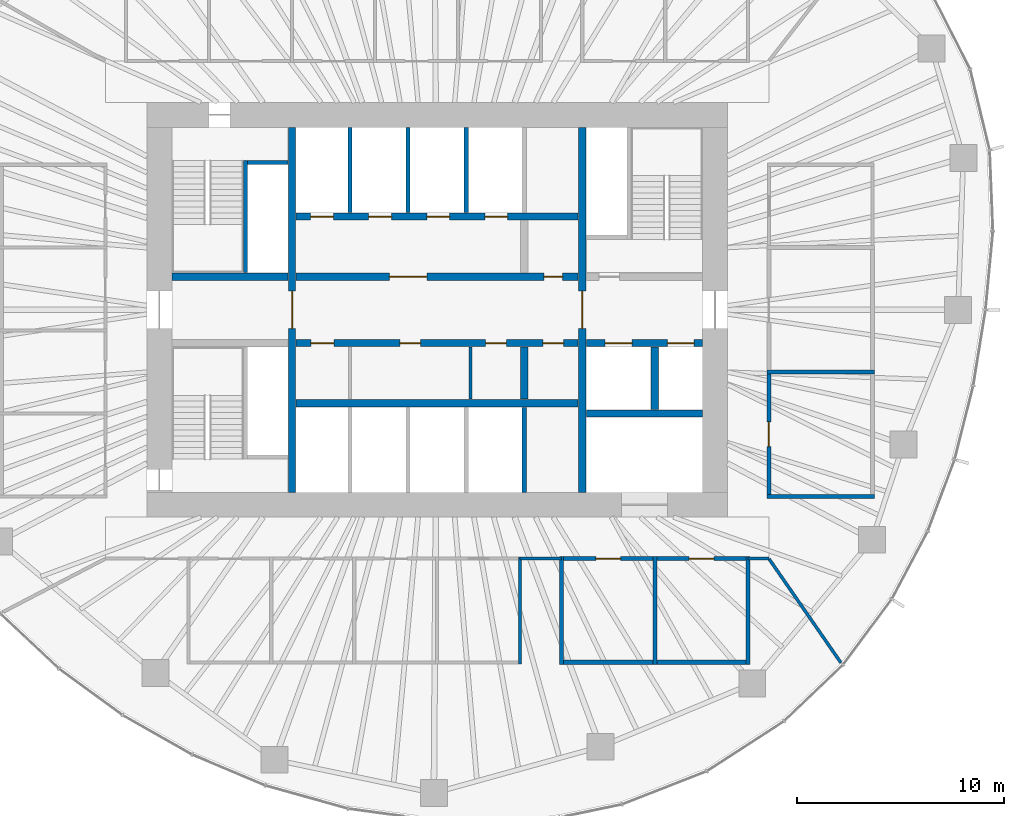
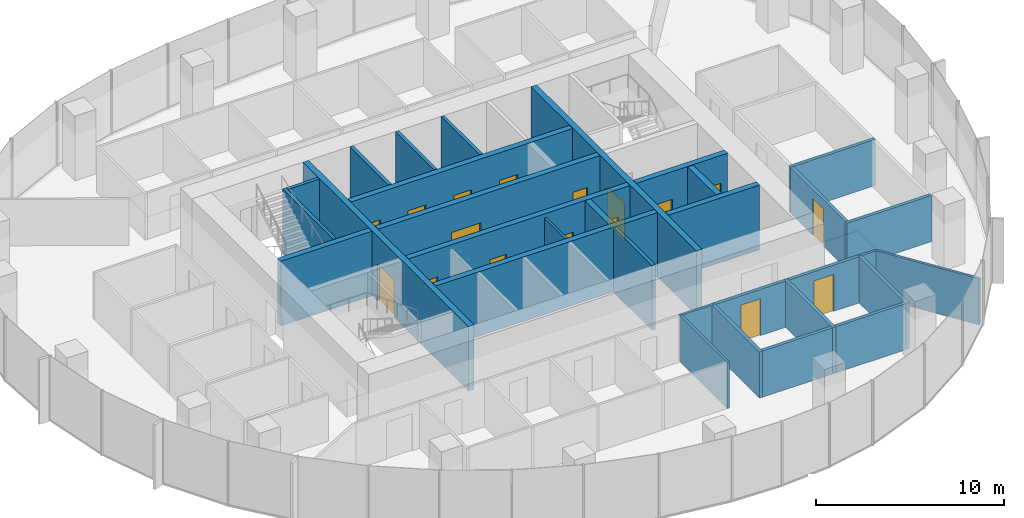
# One storey, part 9 of 12: 32 walls, 17 doors, 17 openings.
"""IFC4 building model written with IfcOpenShell, lengths in metres."""

from ifc_helpers import new_model, si_unit, direction, frame, frame_2d, origin, place, context, subcontext, project, spatial, rectangle, extrude, material, layer, layer_set, type_object, element, fill, save


model = new_model("IFC4")

# Units and contexts
model_context = context("Model", 3, precision=1e-05, world=origin(), true_north=direction((0.0, 1.0)))
body_context = subcontext(model_context, "Body", "Model", "MODEL_VIEW")
ifc_project = project(units=[si_unit("LENGTHUNIT", "METRE"), si_unit("AREAUNIT", "SQUARE_METRE"), si_unit("VOLUMEUNIT", "CUBIC_METRE"), si_unit("PLANEANGLEUNIT", "RADIAN"), si_unit("MASSUNIT", "GRAM", prefix="KILO")], contexts=[model_context])

# Site, building, storey
site_placement = place(None, origin())
site = spatial("IfcSite", under=ifc_project, at=site_placement, CompositionType="ELEMENT")
building_placement = place(site_placement, origin())
building = spatial("IfcBuilding", under=site, at=building_placement, Name="Ghaith Harvest Tower", CompositionType="ELEMENT")
storey_placement = place(building_placement, frame((0.0, 0.0, 203.199951171875)))
storey = spatial("IfcBuildingStorey", under=building, at=storey_placement, Name="L44", CompositionType="ELEMENT", Elevation=203.199951171875)

# Walls
ifc_material_1 = material(Name="Twin-stud gypsum board, acoustic", Category="gypsum")
ifc_layer_1 = layer(ifc_material_1, 0.199951171875)
ifc_layer_set_1 = layer_set([ifc_layer_1], Name="ACOUSTIC PARTITION 200")
wall_type_1 = type_object("IfcWallType", Name="ACOUSTIC PARTITION 200", PredefinedType="PARTITIONING", material=ifc_layer_set_1)
for number, where, z_axis, x_axis, name in (
    (1, (15.89990234375, -9.0, 0.0), (0.0, 0.0, 1.0), (1.0, 0.0, 0.0), "Partition L44 row E3 cross wall 1"),
    (2, (15.89990234375, -3.0, 0.0), (0.0, 0.0, 1.0), (1.0, 0.0, 0.0), "Partition L44 row E3 cross wall 2"),
):
    element("IfcWall", number, at=place(storey_placement, frame(where, z_axis=z_axis, x_axis=x_axis)), inside=storey, type_object=wall_type_1, Name=name, PredefinedType="PARTITIONING", context=body_context, shape_type="SweptSolid", body=[
        extrude(rectangle(XDim=5.2001953125, YDim=0.199951171875, at=frame_2d((2.60009765625, 0.0))), origin(), (0.0, 0.0, 1.0), 3.0),
    ])

# Wall, opening, door
wall_1_placement = place(storey_placement, frame((16.0, -8.89990234375, 0.0), z_axis=(0.0, 0.0, 1.0), x_axis=(0.0, 1.0, 0.0)))
wall_1 = element("IfcWall", 3, at=wall_1_placement, inside=storey, type_object=wall_type_1, Name="Partition L44-08", PredefinedType="PARTITIONING", context=body_context, shape_type="SweptSolid", body=[
    extrude(rectangle(XDim=5.7998046875, YDim=0.199951171875, at=frame_2d((2.89990234375, 0.0))), origin(), (0.0, 0.0, 1.0), 3.0),
])
opening_1_placement = place(wall_1_placement, frame((2.300048828125, 0.0, 0.0)))
opening_1 = element("IfcOpeningElement", 4, at=opening_1_placement, cuts=wall_1, Name="Opening 44-028", PredefinedType="OPENING", context=body_context, shape_type="SweptSolid", body=[
    extrude(rectangle(XDim=1.199951171875, YDim=2.39990234375, at=frame_2d((0.60009765625, 1.199951171875))), frame((0.0, 0.10986328125, 0.0), z_axis=(0.0, -1.0, 0.0), x_axis=(1.0, 0.0, 0.0)), (0.0, 0.0, 1.0), 0.219970703125),
])
ifc_material_2 = material(Name="Timber door", Category="wood")
door_type_1 = type_object("IfcDoorType", Name="D11 GLAZED 1200x2400", OperationType="SINGLE_SWING_LEFT", PredefinedType="DOOR", material=ifc_material_2)
door_1_placement = place(opening_1_placement, origin())
door_1 = element("IfcDoor", 5, at=door_1_placement, inside=storey, type_object=door_type_1, Name="Meeting room door", OperationType="SINGLE_SWING_LEFT", OverallHeight=2.39990234375, OverallWidth=1.199951171875, PredefinedType="DOOR", context=body_context, shape_type="SweptSolid", body=[
    extrude(rectangle(XDim=1.199951171875, YDim=2.39990234375, at=frame_2d((0.60009765625, 1.199951171875))), frame((0.0, 0.02490234375, 0.0), z_axis=(0.0, -1.0, 0.0), x_axis=(1.0, 0.0, 0.0)), (0.0, 0.0, 1.0), 0.050048828125),
])
fill(opening_1, door_1)

# Walls
for number, where, z_axis, x_axis, name in (
    (6, (6.0, -11.89990234375, 0.0), (0.0, 0.0, 1.0), (0.0, -1.0, 0.0), "Partition L44 row S5 cross wall 1"),
    (7, (10.5, -11.89990234375, 0.0), (0.0, 0.0, 1.0), (0.0, -1.0, 0.0), "Partition L44 row S5 cross wall 2"),
    (8, (15.0, -11.89990234375, 0.0), (0.0, 0.0, 1.0), (0.0, -1.0, 0.0), "Partition L44 row S5 cross wall 3"),
):
    element("IfcWall", number, at=place(storey_placement, frame(where, z_axis=z_axis, x_axis=x_axis)), inside=storey, type_object=wall_type_1, Name=name, PredefinedType="PARTITIONING", context=body_context, shape_type="SweptSolid", body=[
        extrude(rectangle(XDim=5.2001953125, YDim=0.199951171875, at=frame_2d((2.60009765625, 0.0))), origin(), (0.0, 0.0, 1.0), 3.0),
    ])

# Wall, opening, door
wall_2_placement = place(storey_placement, frame((6.10009765625, -12.0, 0.0), z_axis=(0.0, 0.0, 1.0), x_axis=(1.0, 0.0, 0.0)))
wall_2 = element("IfcWall", 9, at=wall_2_placement, inside=storey, type_object=wall_type_1, Name="Partition L44-15", PredefinedType="PARTITIONING", context=body_context, shape_type="SweptSolid", body=[
    extrude(rectangle(XDim=4.2998046875, YDim=0.199951171875, at=frame_2d((2.14990234375, 0.0))), origin(), (0.0, 0.0, 1.0), 3.0),
])
opening_2_placement = place(wall_2_placement, frame((1.550048828125, 0.0, 0.0)))
opening_2 = element("IfcOpeningElement", 10, at=opening_2_placement, cuts=wall_2, Name="Opening 44-035", PredefinedType="OPENING", context=body_context, shape_type="SweptSolid", body=[
    extrude(rectangle(XDim=1.199951171875, YDim=2.39990234375, at=frame_2d((0.60009765625, 1.199951171875))), frame((0.0, 0.10986328125, 0.0), z_axis=(0.0, -1.0, 0.0), x_axis=(1.0, 0.0, 0.0)), (0.0, 0.0, 1.0), 0.219970703125),
])
door_2_placement = place(opening_2_placement, origin())
door_2 = element("IfcDoor", 11, at=door_2_placement, inside=storey, type_object=door_type_1, Name="Meeting room door", OperationType="SINGLE_SWING_LEFT", OverallHeight=2.39990234375, OverallWidth=1.199951171875, PredefinedType="DOOR", context=body_context, shape_type="SweptSolid", body=[
    extrude(rectangle(XDim=1.199951171875, YDim=2.39990234375, at=frame_2d((0.60009765625, 1.199951171875))), frame((0.0, 0.02490234375, 0.0), z_axis=(0.0, -1.0, 0.0), x_axis=(1.0, 0.0, 0.0)), (0.0, 0.0, 1.0), 0.050048828125),
])
fill(opening_2, door_2)

# Wall
wall_3_placement = place(storey_placement, frame((6.10009765625, -17.0, 0.0), z_axis=(0.0, 0.0, 1.0), x_axis=(1.0, 0.0, 0.0)))
element("IfcWall", 12, at=wall_3_placement, inside=storey, type_object=wall_type_1, Name="Partition L44-15", PredefinedType="PARTITIONING", context=body_context, shape_type="SweptSolid", body=[
    extrude(rectangle(XDim=4.2998046875, YDim=0.199951171875, at=frame_2d((2.14990234375, 0.0))), origin(), (0.0, 0.0, 1.0), 3.0),
])

# Wall, opening, door
wall_4_placement = place(storey_placement, frame((10.60009765625, -12.0, 0.0), z_axis=(0.0, 0.0, 1.0), x_axis=(1.0, 0.0, 0.0)))
wall_4 = element("IfcWall", 13, at=wall_4_placement, inside=storey, type_object=wall_type_1, Name="Partition L44-16", PredefinedType="PARTITIONING", context=body_context, shape_type="SweptSolid", body=[
    extrude(rectangle(XDim=4.2998046875, YDim=0.199951171875, at=frame_2d((2.14990234375, 0.0))), origin(), (0.0, 0.0, 1.0), 3.0),
])
opening_3_placement = place(wall_4_placement, frame((1.550048828125, 0.0, 0.0)))
opening_3 = element("IfcOpeningElement", 14, at=opening_3_placement, cuts=wall_4, Name="Opening 44-036", PredefinedType="OPENING", context=body_context, shape_type="SweptSolid", body=[
    extrude(rectangle(XDim=1.199951171875, YDim=2.39990234375, at=frame_2d((0.60009765625, 1.199951171875))), frame((0.0, 0.10986328125, 0.0), z_axis=(0.0, -1.0, 0.0), x_axis=(1.0, 0.0, 0.0)), (0.0, 0.0, 1.0), 0.219970703125),
])
door_3_placement = place(opening_3_placement, origin())
door_3 = element("IfcDoor", 15, at=door_3_placement, inside=storey, type_object=door_type_1, Name="Meeting room door", OperationType="SINGLE_SWING_LEFT", OverallHeight=2.39990234375, OverallWidth=1.199951171875, PredefinedType="DOOR", context=body_context, shape_type="SweptSolid", body=[
    extrude(rectangle(XDim=1.199951171875, YDim=2.39990234375, at=frame_2d((0.60009765625, 1.199951171875))), frame((0.0, 0.02490234375, 0.0), z_axis=(0.0, -1.0, 0.0), x_axis=(1.0, 0.0, 0.0)), (0.0, 0.0, 1.0), 0.050048828125),
])
fill(opening_3, door_3)

# Walls
wall_5_placement = place(storey_placement, frame((10.60009765625, -17.0, 0.0), z_axis=(0.0, 0.0, 1.0), x_axis=(1.0, 0.0, 0.0)))
element("IfcWall", 16, at=wall_5_placement, inside=storey, type_object=wall_type_1, Name="Partition L44-16", PredefinedType="PARTITIONING", context=body_context, shape_type="SweptSolid", body=[
    extrude(rectangle(XDim=4.2998046875, YDim=0.199951171875, at=frame_2d((2.14990234375, 0.0))), origin(), (0.0, 0.0, 1.0), 3.0),
])
ifc_material_3 = material(Name="Concrete blockwork, fair-faced", Category="masonry")
ifc_layer_2 = layer(ifc_material_3, 0.139892578125)
ifc_layer_set_2 = layer_set([ifc_layer_2], Name="CORE PARTITION 140")
wall_type_2 = type_object("IfcWallType", Name="CORE PARTITION 140", PredefinedType="PARTITIONING", material=ifc_layer_set_2)
wall_6_placement = place(storey_placement, frame((1.60009765625, -1.800048828125, 0.0), z_axis=(0.0, 0.0, 1.0), x_axis=(0.0, -1.0, 0.0)))
element("IfcWall", 17, at=wall_6_placement, inside=storey, type_object=wall_type_2, Name="Core partition L44", PredefinedType="PARTITIONING", context=body_context, shape_type="SweptSolid", body=[
    extrude(rectangle(XDim=2.5, YDim=0.139892578125, at=frame_2d((1.25, 0.0))), origin(), (0.0, 0.0, 1.0), 3.949951171875),
])
ifc_material_4 = material(Name="Concrete blockwork, 2-hour", Category="masonry")
ifc_layer_3 = layer(ifc_material_4, 0.199951171875)
ifc_layer_set_3 = layer_set([ifc_layer_3], Name="LIFT SHAFT WALL 200")
wall_type_3 = type_object("IfcWallType", Name="LIFT SHAFT WALL 200", PredefinedType="PARTITIONING", material=ifc_layer_set_3)
for number, where, z_axis, x_axis, name in (
    (18, (-4.199951171875, 4.699951171875, 0.0), (0.0, 0.0, 1.0), (0.0, 1.0, 0.0), "Lift shaft wall L44"),
    (19, (-1.39990234375, 4.699951171875, 0.0), (0.0, 0.0, 1.0), (0.0, 1.0, 0.0), "Lift shaft wall L44"),
    (20, (1.39990234375, 4.699951171875, 0.0), (0.0, 0.0, 1.0), (0.0, 1.0, 0.0), "Lift shaft wall L44"),
    (21, (4.199951171875, -4.699951171875, 0.0), (0.0, 0.0, 1.0), (0.0, -1.0, 0.0), "Lift shaft wall L44"),
):
    element("IfcWall", number, at=place(storey_placement, frame(where, z_axis=z_axis, x_axis=x_axis)), inside=storey, type_object=wall_type_3, Name=name, PredefinedType="PARTITIONING", context=body_context, shape_type="SweptSolid", body=[
        extrude(rectangle(XDim=4.10009765625, YDim=0.199951171875, at=frame_2d((2.050048828125, 0.0))), origin(), (0.0, 0.0, 1.0), 4.199951171875),
    ])
ifc_material_5 = material(Name="Gypsum board on steel studs", Category="steel")
ifc_layer_4 = layer(ifc_material_5, 0.14990234375)
ifc_layer_set_4 = layer_set([ifc_layer_4], Name="PARTITION 150")
wall_type_4 = type_object("IfcWallType", Name="PARTITION 150", PredefinedType="PARTITIONING", material=ifc_layer_set_4)
wall_7_placement = place(storey_placement, frame((4.0, -11.925048828125, 0.0), z_axis=(0.0, 0.0, 1.0), x_axis=(0.0, -1.0, 0.0)))
element("IfcWall", 22, at=wall_7_placement, inside=storey, type_object=wall_type_4, Name="Partition L44 row S4 cross wall 5", PredefinedType="PARTITIONING", context=body_context, shape_type="SweptSolid", body=[
    extrude(rectangle(XDim=5.14990234375, YDim=0.14990234375, at=frame_2d((2.574951171875, 0.0))), origin(), (0.0, 0.0, 1.0), 3.0),
])
wall_8_placement = place(storey_placement, frame((16.011474609375, -12.016357421875, 0.0), z_axis=(0.0, 0.0, 1.0), x_axis=(0.568863489071, -0.822431961199, 0.0)))
element("IfcWall", 23, at=wall_8_placement, inside=storey, type_object=wall_type_4, Name="Partition L44 zone division", PredefinedType="PARTITIONING", context=body_context, shape_type="SweptSolid", body=[
    extrude(rectangle(XDim=6.0830078125, YDim=0.14990234375, at=frame_2d((3.04150390625, 0.0))), origin(), (0.0, 0.0, 1.0), 3.0),
])
wall_9_placement = place(storey_placement, frame((4.0, -12.0, 0.0), z_axis=(0.0, 0.0, 1.0), x_axis=(1.0, 0.0, 0.0)))
element("IfcWall", 24, at=wall_9_placement, inside=storey, type_object=wall_type_4, Name="Partition L44 zone enclosure", PredefinedType="PARTITIONING", context=body_context, shape_type="SweptSolid", body=[
    extrude(rectangle(XDim=2.0, YDim=0.14990234375, at=frame_2d((1.0, 0.0))), origin(), (0.0, 0.0, 1.0), 3.0),
])
wall_10_placement = place(storey_placement, frame((15.0, -12.0, 0.0), z_axis=(0.0, 0.0, 1.0), x_axis=(1.0, 0.0, 0.0)))
element("IfcWall", 25, at=wall_10_placement, inside=storey, type_object=wall_type_4, Name="Partition L44 zone enclosure", PredefinedType="PARTITIONING", context=body_context, shape_type="SweptSolid", body=[
    extrude(rectangle(XDim=1.0, YDim=0.14990234375, at=frame_2d((0.5, 0.0))), origin(), (0.0, 0.0, 1.0), 3.0),
])

# Wall, opening, door
ifc_material_6 = material(Name="Concrete C60/75", Category="concrete")
ifc_layer_5 = layer(ifc_material_6, 0.35009765625)
ifc_layer_set_5 = layer_set([ifc_layer_5], Name="SHAFT WALL 350")
wall_type_5 = type_object("IfcWallType", Name="SHAFT WALL 350", PredefinedType="SHEAR", material=ifc_layer_set_5)
wall_11_placement = place(storey_placement, frame((-7.0, -8.800048828125, 0.0), z_axis=(0.0, 0.0, 1.0), x_axis=(0.0, 1.0, 0.0)))
wall_11 = element("IfcWall", 26, at=wall_11_placement, inside=storey, type_object=wall_type_5, Name="Shaft wall W7W L44", PredefinedType="SHEAR", context=body_context, shape_type="SweptSolid", body=[
    extrude(rectangle(XDim=17.60009765625, YDim=0.35009765625, at=frame_2d((8.800048828125, 0.0))), origin(), (0.0, 0.0, 1.0), 4.199951171875),
])
opening_4_placement = place(wall_11_placement, frame((7.89990234375, 0.0, 0.0)))
opening_4 = element("IfcOpeningElement", 27, at=opening_4_placement, cuts=wall_11, Name="Opening 44-003", PredefinedType="OPENING", context=body_context, shape_type="SweptSolid", body=[
    extrude(rectangle(XDim=1.800048828125, YDim=2.39990234375, at=frame_2d((0.89990234375, 1.199951171875))), frame((0.0, 0.18505859375, 0.0), z_axis=(0.0, -1.0, 0.0), x_axis=(1.0, 0.0, 0.0)), (0.0, 0.0, 1.0), 0.3701171875),
])
ifc_material_7 = material(Name="Steel fire door", Category="steel")
door_type_2 = type_object("IfcDoorType", Name="D4 FD90 PAIR 1800x2400", OperationType="DOUBLE_DOOR_SINGLE_SWING", PredefinedType="DOOR", material=ifc_material_7)
door_4_placement = place(opening_4_placement, origin())
door_4 = element("IfcDoor", 28, at=door_4_placement, inside=storey, type_object=door_type_2, Name="Lift lobby doors, west", OperationType="DOUBLE_DOOR_SINGLE_SWING", OverallHeight=2.39990234375, OverallWidth=1.800048828125, PredefinedType="DOOR", context=body_context, shape_type="SweptSolid", body=[
    extrude(rectangle(XDim=1.800048828125, YDim=2.39990234375, at=frame_2d((0.89990234375, 1.199951171875))), frame((0.0, 0.02490234375, 0.0), z_axis=(0.0, -1.0, 0.0), x_axis=(1.0, 0.0, 0.0)), (0.0, 0.0, 1.0), 0.050048828125),
])
fill(opening_4, door_4)

wall_12_placement = place(storey_placement, frame((7.0, -8.800048828125, 0.0), z_axis=(0.0, 0.0, 1.0), x_axis=(0.0, 1.0, 0.0)))
wall_12 = element("IfcWall", 29, at=wall_12_placement, inside=storey, type_object=wall_type_5, Name="Shaft wall W7E L44", PredefinedType="SHEAR", context=body_context, shape_type="SweptSolid", body=[
    extrude(rectangle(XDim=17.60009765625, YDim=0.35009765625, at=frame_2d((8.800048828125, 0.0))), origin(), (0.0, 0.0, 1.0), 4.199951171875),
])
opening_5_placement = place(wall_12_placement, frame((7.89990234375, 0.0, 0.0)))
opening_5 = element("IfcOpeningElement", 30, at=opening_5_placement, cuts=wall_12, Name="Opening 44-004", PredefinedType="OPENING", context=body_context, shape_type="SweptSolid", body=[
    extrude(rectangle(XDim=1.800048828125, YDim=2.39990234375, at=frame_2d((0.89990234375, 1.199951171875))), frame((0.0, 0.18505859375, 0.0), z_axis=(0.0, -1.0, 0.0), x_axis=(1.0, 0.0, 0.0)), (0.0, 0.0, 1.0), 0.3701171875),
])
door_5_placement = place(opening_5_placement, origin())
door_5 = element("IfcDoor", 31, at=door_5_placement, inside=storey, type_object=door_type_2, Name="Lift lobby doors, east", OperationType="DOUBLE_DOOR_SINGLE_SWING", OverallHeight=2.39990234375, OverallWidth=1.800048828125, PredefinedType="DOOR", context=body_context, shape_type="SweptSolid", body=[
    extrude(rectangle(XDim=1.800048828125, YDim=2.39990234375, at=frame_2d((0.89990234375, 1.199951171875))), frame((0.0, 0.02490234375, 0.0), z_axis=(0.0, -1.0, 0.0), x_axis=(1.0, 0.0, 0.0)), (0.0, 0.0, 1.0), 0.050048828125),
])
fill(opening_5, door_5)

# Wall, openings, doors
wall_13_placement = place(storey_placement, frame((-6.800048828125, 1.60009765625, 0.0), z_axis=(0.0, 0.0, 1.0), x_axis=(1.0, 0.0, 0.0)))
wall_13 = element("IfcWall", 32, at=wall_13_placement, inside=storey, type_object=wall_type_5, Name="Shaft wall LN L44", PredefinedType="SHEAR", context=body_context, shape_type="SweptSolid", body=[
    extrude(rectangle(XDim=13.60009765625, YDim=0.35009765625, at=frame_2d((6.800048828125, 0.0))), origin(), (0.0, 0.0, 1.0), 4.199951171875),
])
opening_6_placement = place(wall_13_placement, frame((11.949951171875, 0.0, 0.0)))
opening_6 = element("IfcOpeningElement", 33, at=opening_6_placement, cuts=wall_13, Name="Opening 44-011", PredefinedType="OPENING", context=body_context, shape_type="SweptSolid", body=[
    extrude(rectangle(XDim=0.89990234375, YDim=2.39990234375, at=frame_2d((0.449951171875, 1.199951171875))), frame((0.0, 0.18505859375, 0.0), z_axis=(0.0, -1.0, 0.0), x_axis=(1.0, 0.0, 0.0)), (0.0, 0.0, 1.0), 0.3701171875),
])
opening_7_placement = place(wall_13_placement, frame((4.5, 0.0, 0.0)))
opening_7 = element("IfcOpeningElement", 34, at=opening_7_placement, cuts=wall_13, Name="Opening 44-013", PredefinedType="OPENING", context=body_context, shape_type="SweptSolid", body=[
    extrude(rectangle(XDim=1.800048828125, YDim=2.39990234375, at=frame_2d((0.89990234375, 1.199951171875))), frame((0.0, 0.18505859375, 0.0), z_axis=(0.0, -1.0, 0.0), x_axis=(1.0, 0.0, 0.0)), (0.0, 0.0, 1.0), 0.3701171875),
])
door_6_placement = place(opening_7_placement, origin())
door_6 = element("IfcDoor", 35, at=door_6_placement, inside=storey, type_object=door_type_2, Name="Lift lobby doors, high-rise bank", OperationType="DOUBLE_DOOR_SINGLE_SWING", OverallHeight=2.39990234375, OverallWidth=1.800048828125, PredefinedType="DOOR", context=body_context, shape_type="SweptSolid", body=[
    extrude(rectangle(XDim=1.800048828125, YDim=2.39990234375, at=frame_2d((0.89990234375, 1.199951171875))), frame((0.0, 0.02490234375, 0.0), z_axis=(0.0, -1.0, 0.0), x_axis=(1.0, 0.0, 0.0)), (0.0, 0.0, 1.0), 0.050048828125),
])
fill(opening_7, door_6)
ifc_material_8 = material(Name="Steel fire door", Category="steel")
door_type_3 = type_object("IfcDoorType", Name="D5 FD90 900x2400", OperationType="SINGLE_SWING_LEFT", PredefinedType="DOOR", material=ifc_material_8)
door_7_placement = place(opening_6_placement, origin())
door_7 = element("IfcDoor", 36, at=door_7_placement, inside=storey, type_object=door_type_3, Name="Cleaner's store door", OperationType="SINGLE_SWING_RIGHT", OverallHeight=2.39990234375, OverallWidth=0.89990234375, PredefinedType="DOOR", context=body_context, shape_type="SweptSolid", body=[
    extrude(rectangle(XDim=0.89990234375, YDim=2.39990234375, at=frame_2d((0.449951171875, 1.199951171875))), frame((0.0, 0.02490234375, 0.0), z_axis=(0.0, -1.0, 0.0), x_axis=(1.0, 0.0, 0.0)), (0.0, 0.0, 1.0), 0.050048828125),
])
fill(opening_6, door_7)

wall_14_placement = place(storey_placement, frame((-6.800048828125, -1.60009765625, 0.0), z_axis=(0.0, 0.0, 1.0), x_axis=(1.0, 0.0, 0.0)))
wall_14 = element("IfcWall", 37, at=wall_14_placement, inside=storey, type_object=wall_type_5, Name="Shaft wall LS L44", PredefinedType="SHEAR", context=body_context, shape_type="SweptSolid", body=[
    extrude(rectangle(XDim=13.60009765625, YDim=0.35009765625, at=frame_2d((6.800048828125, 0.0))), origin(), (0.0, 0.0, 1.0), 4.199951171875),
])
opening_8_placement = place(wall_14_placement, frame((0.715087890625, 0.0, 0.0)))
opening_8 = element("IfcOpeningElement", 38, at=opening_8_placement, cuts=wall_14, Name="Opening 44-008", PredefinedType="OPENING", context=body_context, shape_type="SweptSolid", body=[
    extrude(rectangle(XDim=1.10009765625, YDim=2.39990234375, at=frame_2d((0.550048828125, 1.199951171875))), frame((0.0, 0.18505859375, 0.0), z_axis=(0.0, -1.0, 0.0), x_axis=(1.0, 0.0, 0.0)), (0.0, 0.0, 1.0), 0.3701171875),
])
opening_9_placement = place(wall_14_placement, frame((5.0, 0.0, 0.0)))
opening_9 = element("IfcOpeningElement", 39, at=opening_9_placement, cuts=wall_14, Name="Opening 44-009", PredefinedType="OPENING", context=body_context, shape_type="SweptSolid", body=[
    extrude(rectangle(XDim=1.0, YDim=2.39990234375, at=frame_2d((0.5, 1.199951171875))), frame((0.0, 0.18505859375, 0.0), z_axis=(0.0, -1.0, 0.0), x_axis=(1.0, 0.0, 0.0)), (0.0, 0.0, 1.0), 0.3701171875),
])
opening_10_placement = place(wall_14_placement, frame((9.135009765625, 0.0, 0.0)))
opening_10 = element("IfcOpeningElement", 40, at=opening_10_placement, cuts=wall_14, Name="Opening 44-010", PredefinedType="OPENING", context=body_context, shape_type="SweptSolid", body=[
    extrude(rectangle(XDim=1.0, YDim=2.39990234375, at=frame_2d((0.5, 1.199951171875))), frame((0.0, 0.18505859375, 0.0), z_axis=(0.0, -1.0, 0.0), x_axis=(1.0, 0.0, 0.0)), (0.0, 0.0, 1.0), 0.3701171875),
])
opening_11_placement = place(wall_14_placement, frame((11.89990234375, 0.0, 0.0)))
opening_11 = element("IfcOpeningElement", 41, at=opening_11_placement, cuts=wall_14, Name="Opening 44-012", PredefinedType="OPENING", context=body_context, shape_type="SweptSolid", body=[
    extrude(rectangle(XDim=1.0, YDim=2.39990234375, at=frame_2d((0.5, 1.199951171875))), frame((0.0, 0.18505859375, 0.0), z_axis=(0.0, -1.0, 0.0), x_axis=(1.0, 0.0, 0.0)), (0.0, 0.0, 1.0), 0.3701171875),
])
ifc_material_9 = material(Name="Steel fire door", Category="steel")
door_type_4 = type_object("IfcDoorType", Name="D3 FD90 1000x2400", OperationType="SINGLE_SWING_LEFT", PredefinedType="DOOR", material=ifc_material_9)
door_8_placement = place(opening_9_placement, origin())
door_8 = element("IfcDoor", 42, at=door_8_placement, inside=storey, type_object=door_type_4, Name="Male WC door", OperationType="SINGLE_SWING_LEFT", OverallHeight=2.39990234375, OverallWidth=1.0, PredefinedType="DOOR", context=body_context, shape_type="SweptSolid", body=[
    extrude(rectangle(XDim=1.0, YDim=2.39990234375, at=frame_2d((0.5, 1.199951171875))), frame((0.0, 0.02490234375, 0.0), z_axis=(0.0, -1.0, 0.0), x_axis=(1.0, 0.0, 0.0)), (0.0, 0.0, 1.0), 0.050048828125),
])
fill(opening_9, door_8)
door_9_placement = place(opening_10_placement, origin())
door_9 = element("IfcDoor", 43, at=door_9_placement, inside=storey, type_object=door_type_4, Name="Female WC door", OperationType="SINGLE_SWING_RIGHT", OverallHeight=2.39990234375, OverallWidth=1.0, PredefinedType="DOOR", context=body_context, shape_type="SweptSolid", body=[
    extrude(rectangle(XDim=1.0, YDim=2.39990234375, at=frame_2d((0.5, 1.199951171875))), frame((0.0, 0.02490234375, 0.0), z_axis=(0.0, -1.0, 0.0), x_axis=(1.0, 0.0, 0.0)), (0.0, 0.0, 1.0), 0.050048828125),
])
fill(opening_10, door_9)
door_10_placement = place(opening_11_placement, origin())
door_10 = element("IfcDoor", 44, at=door_10_placement, inside=storey, type_object=door_type_4, Name="Electrical room door", OperationType="SINGLE_SWING_RIGHT", OverallHeight=2.39990234375, OverallWidth=1.0, PredefinedType="DOOR", context=body_context, shape_type="SweptSolid", body=[
    extrude(rectangle(XDim=1.0, YDim=2.39990234375, at=frame_2d((0.5, 1.199951171875))), frame((0.0, 0.02490234375, 0.0), z_axis=(0.0, -1.0, 0.0), x_axis=(1.0, 0.0, 0.0)), (0.0, 0.0, 1.0), 0.050048828125),
])
fill(opening_11, door_10)
ifc_material_10 = material(Name="Steel fire door", Category="steel")
door_type_5 = type_object("IfcDoorType", Name="D9 FD90 1100x2400", OperationType="SINGLE_SWING_LEFT", PredefinedType="DOOR", material=ifc_material_10)
door_11_placement = place(opening_8_placement, origin())
door_11 = element("IfcDoor", 45, at=door_11_placement, inside=storey, type_object=door_type_5, Name="Accessible WC door", OperationType="SINGLE_SWING_LEFT", OverallHeight=2.39990234375, OverallWidth=1.10009765625, PredefinedType="DOOR", context=body_context, shape_type="SweptSolid", body=[
    extrude(rectangle(XDim=1.10009765625, YDim=2.39990234375, at=frame_2d((0.550048828125, 1.199951171875))), frame((0.0, 0.02490234375, 0.0), z_axis=(0.0, -1.0, 0.0), x_axis=(1.0, 0.0, 0.0)), (0.0, 0.0, 1.0), 0.050048828125),
])
fill(opening_8, door_11)

wall_15_placement = place(storey_placement, frame((-6.800048828125, 4.5, 0.0), z_axis=(0.0, 0.0, 1.0), x_axis=(1.0, 0.0, 0.0)))
wall_15 = element("IfcWall", 46, at=wall_15_placement, inside=storey, type_object=wall_type_5, Name="Shaft wall BN L44", PredefinedType="SHEAR", context=body_context, shape_type="SweptSolid", body=[
    extrude(rectangle(XDim=13.60009765625, YDim=0.35009765625, at=frame_2d((6.800048828125, 0.0))), origin(), (0.0, 0.0, 1.0), 4.199951171875),
])
opening_12_placement = place(wall_15_placement, frame((0.699951171875, 0.0, 0.0)))
opening_12 = element("IfcOpeningElement", 47, at=opening_12_placement, cuts=wall_15, Name="Opening 44-014", PredefinedType="OPENING", context=body_context, shape_type="SweptSolid", body=[
    extrude(rectangle(XDim=1.10009765625, YDim=2.39990234375, at=frame_2d((0.550048828125, 1.199951171875))), frame((0.0, 0.18505859375, 0.0), z_axis=(0.0, -1.0, 0.0), x_axis=(1.0, 0.0, 0.0)), (0.0, 0.0, 1.0), 0.3701171875),
])
opening_13_placement = place(wall_15_placement, frame((3.5, 0.0, 0.0)))
opening_13 = element("IfcOpeningElement", 48, at=opening_13_placement, cuts=wall_15, Name="Opening 44-015", PredefinedType="OPENING", context=body_context, shape_type="SweptSolid", body=[
    extrude(rectangle(XDim=1.10009765625, YDim=2.39990234375, at=frame_2d((0.550048828125, 1.199951171875))), frame((0.0, 0.18505859375, 0.0), z_axis=(0.0, -1.0, 0.0), x_axis=(1.0, 0.0, 0.0)), (0.0, 0.0, 1.0), 0.3701171875),
])
opening_14_placement = place(wall_15_placement, frame((6.300048828125, 0.0, 0.0)))
opening_14 = element("IfcOpeningElement", 49, at=opening_14_placement, cuts=wall_15, Name="Opening 44-016", PredefinedType="OPENING", context=body_context, shape_type="SweptSolid", body=[
    extrude(rectangle(XDim=1.10009765625, YDim=2.39990234375, at=frame_2d((0.550048828125, 1.199951171875))), frame((0.0, 0.18505859375, 0.0), z_axis=(0.0, -1.0, 0.0), x_axis=(1.0, 0.0, 0.0)), (0.0, 0.0, 1.0), 0.3701171875),
])
opening_15_placement = place(wall_15_placement, frame((9.10009765625, 0.0, 0.0)))
opening_15 = element("IfcOpeningElement", 50, at=opening_15_placement, cuts=wall_15, Name="Opening 44-017", PredefinedType="OPENING", context=body_context, shape_type="SweptSolid", body=[
    extrude(rectangle(XDim=1.10009765625, YDim=2.39990234375, at=frame_2d((0.550048828125, 1.199951171875))), frame((0.0, 0.18505859375, 0.0), z_axis=(0.0, -1.0, 0.0), x_axis=(1.0, 0.0, 0.0)), (0.0, 0.0, 1.0), 0.3701171875),
])
ifc_material_11 = material(Name="Steel fire door", Category="steel")
door_type_6 = type_object("IfcDoorType", Name="LD1 LANDING 1100x2400", OperationType="DOUBLE_DOOR_SLIDING", PredefinedType="DOOR", material=ifc_material_11)
door_12_placement = place(opening_12_placement, origin())
door_12 = element("IfcDoor", 51, at=door_12_placement, inside=storey, type_object=door_type_6, Name="Landing door, lift HR1", OperationType="DOUBLE_DOOR_SLIDING", OverallHeight=2.39990234375, OverallWidth=1.10009765625, PredefinedType="DOOR", context=body_context, shape_type="SweptSolid", body=[
    extrude(rectangle(XDim=1.10009765625, YDim=2.39990234375, at=frame_2d((0.550048828125, 1.199951171875))), frame((0.0, 0.02490234375, 0.0), z_axis=(0.0, -1.0, 0.0), x_axis=(1.0, 0.0, 0.0)), (0.0, 0.0, 1.0), 0.050048828125),
])
fill(opening_12, door_12)
door_13_placement = place(opening_13_placement, origin())
door_13 = element("IfcDoor", 52, at=door_13_placement, inside=storey, type_object=door_type_6, Name="Landing door, lift HR2", OperationType="DOUBLE_DOOR_SLIDING", OverallHeight=2.39990234375, OverallWidth=1.10009765625, PredefinedType="DOOR", context=body_context, shape_type="SweptSolid", body=[
    extrude(rectangle(XDim=1.10009765625, YDim=2.39990234375, at=frame_2d((0.550048828125, 1.199951171875))), frame((0.0, 0.02490234375, 0.0), z_axis=(0.0, -1.0, 0.0), x_axis=(1.0, 0.0, 0.0)), (0.0, 0.0, 1.0), 0.050048828125),
])
fill(opening_13, door_13)
door_14_placement = place(opening_14_placement, origin())
door_14 = element("IfcDoor", 53, at=door_14_placement, inside=storey, type_object=door_type_6, Name="Landing door, lift HR3", OperationType="DOUBLE_DOOR_SLIDING", OverallHeight=2.39990234375, OverallWidth=1.10009765625, PredefinedType="DOOR", context=body_context, shape_type="SweptSolid", body=[
    extrude(rectangle(XDim=1.10009765625, YDim=2.39990234375, at=frame_2d((0.550048828125, 1.199951171875))), frame((0.0, 0.02490234375, 0.0), z_axis=(0.0, -1.0, 0.0), x_axis=(1.0, 0.0, 0.0)), (0.0, 0.0, 1.0), 0.050048828125),
])
fill(opening_14, door_14)
door_15_placement = place(opening_15_placement, origin())
door_15 = element("IfcDoor", 54, at=door_15_placement, inside=storey, type_object=door_type_6, Name="Landing door, lift HR4", OperationType="DOUBLE_DOOR_SLIDING", OverallHeight=2.39990234375, OverallWidth=1.10009765625, PredefinedType="DOOR", context=body_context, shape_type="SweptSolid", body=[
    extrude(rectangle(XDim=1.10009765625, YDim=2.39990234375, at=frame_2d((0.550048828125, 1.199951171875))), frame((0.0, 0.02490234375, 0.0), z_axis=(0.0, -1.0, 0.0), x_axis=(1.0, 0.0, 0.0)), (0.0, 0.0, 1.0), 0.050048828125),
])
fill(opening_15, door_15)

# Walls
wall_16_placement = place(storey_placement, frame((-6.800048828125, -4.5, 0.0), z_axis=(0.0, 0.0, 1.0), x_axis=(1.0, 0.0, 0.0)))
element("IfcWall", 55, at=wall_16_placement, inside=storey, type_object=wall_type_5, Name="Shaft wall BS L44", PredefinedType="SHEAR", context=body_context, shape_type="SweptSolid", body=[
    extrude(rectangle(XDim=13.60009765625, YDim=0.35009765625, at=frame_2d((6.800048828125, 0.0))), origin(), (0.0, 0.0, 1.0), 4.199951171875),
])
wall_17_placement = place(storey_placement, frame((-12.800048828125, 1.60009765625, 0.0), z_axis=(0.0, 0.0, 1.0), x_axis=(1.0, 0.0, 0.0)))
element("IfcWall", 56, at=wall_17_placement, inside=storey, type_object=wall_type_5, Name="Shaft wall WN L44", PredefinedType="SHEAR", context=body_context, shape_type="SweptSolid", body=[
    extrude(rectangle(XDim=5.60009765625, YDim=0.35009765625, at=frame_2d((2.800048828125, 0.0))), origin(), (0.0, 0.0, 1.0), 4.199951171875),
])

# Wall, openings, doors
wall_18_placement = place(storey_placement, frame((7.199951171875, -1.60009765625, 0.0), z_axis=(0.0, 0.0, 1.0), x_axis=(1.0, 0.0, 0.0)))
wall_18 = element("IfcWall", 57, at=wall_18_placement, inside=storey, type_object=wall_type_5, Name="Shaft wall ES L44", PredefinedType="SHEAR", context=body_context, shape_type="SweptSolid", body=[
    extrude(rectangle(XDim=5.60009765625, YDim=0.35009765625, at=frame_2d((2.800048828125, 0.0))), origin(), (0.0, 0.0, 1.0), 4.199951171875),
])
opening_16_placement = place(wall_18_placement, frame((0.89990234375, 0.0, 0.0)))
opening_16 = element("IfcOpeningElement", 58, at=opening_16_placement, cuts=wall_18, Name="Opening 44-018", PredefinedType="OPENING", context=body_context, shape_type="SweptSolid", body=[
    extrude(rectangle(XDim=1.300048828125, YDim=2.39990234375, at=frame_2d((0.64990234375, 1.199951171875))), frame((0.0, 0.18505859375, 0.0), z_axis=(0.0, -1.0, 0.0), x_axis=(1.0, 0.0, 0.0)), (0.0, 0.0, 1.0), 0.3701171875),
])
opening_17_placement = place(wall_18_placement, frame((3.89990234375, 0.0, 0.0)))
opening_17 = element("IfcOpeningElement", 59, at=opening_17_placement, cuts=wall_18, Name="Opening 44-019", PredefinedType="OPENING", context=body_context, shape_type="SweptSolid", body=[
    extrude(rectangle(XDim=1.300048828125, YDim=2.39990234375, at=frame_2d((0.64990234375, 1.199951171875))), frame((0.0, 0.18505859375, 0.0), z_axis=(0.0, -1.0, 0.0), x_axis=(1.0, 0.0, 0.0)), (0.0, 0.0, 1.0), 0.3701171875),
])
ifc_material_12 = material(Name="Steel fire door", Category="steel")
door_type_7 = type_object("IfcDoorType", Name="LD2 LANDING 1300x2400", OperationType="DOUBLE_DOOR_SLIDING", PredefinedType="DOOR", material=ifc_material_12)
door_16_placement = place(opening_16_placement, origin())
door_16 = element("IfcDoor", 60, at=door_16_placement, inside=storey, type_object=door_type_7, Name="Landing door, fire service lift FL1", OperationType="DOUBLE_DOOR_SLIDING", OverallHeight=2.39990234375, OverallWidth=1.300048828125, PredefinedType="DOOR", context=body_context, shape_type="SweptSolid", body=[
    extrude(rectangle(XDim=1.300048828125, YDim=2.39990234375, at=frame_2d((0.64990234375, 1.199951171875))), frame((0.0, 0.02490234375, 0.0), z_axis=(0.0, -1.0, 0.0), x_axis=(1.0, 0.0, 0.0)), (0.0, 0.0, 1.0), 0.050048828125),
])
fill(opening_16, door_16)
door_17_placement = place(opening_17_placement, origin())
door_17 = element("IfcDoor", 61, at=door_17_placement, inside=storey, type_object=door_type_7, Name="Landing door, fire service lift FL2", OperationType="DOUBLE_DOOR_SLIDING", OverallHeight=2.39990234375, OverallWidth=1.300048828125, PredefinedType="DOOR", context=body_context, shape_type="SweptSolid", body=[
    extrude(rectangle(XDim=1.300048828125, YDim=2.39990234375, at=frame_2d((0.64990234375, 1.199951171875))), frame((0.0, 0.02490234375, 0.0), z_axis=(0.0, -1.0, 0.0), x_axis=(1.0, 0.0, 0.0)), (0.0, 0.0, 1.0), 0.050048828125),
])
fill(opening_17, door_17)

# Walls
wall_19_placement = place(storey_placement, frame((10.5, -4.800048828125, 0.0), z_axis=(0.0, 0.0, 1.0), x_axis=(0.0, 1.0, 0.0)))
element("IfcWall", 62, at=wall_19_placement, inside=storey, type_object=wall_type_5, Name="Shaft wall FLD L44", PredefinedType="SHEAR", context=body_context, shape_type="SweptSolid", body=[
    extrude(rectangle(XDim=3.0, YDim=0.35009765625, at=frame_2d((1.5, 0.0))), origin(), (0.0, 0.0, 1.0), 4.199951171875),
])
wall_20_placement = place(storey_placement, frame((7.199951171875, -5.0, 0.0), z_axis=(0.0, 0.0, 1.0), x_axis=(1.0, 0.0, 0.0)))
element("IfcWall", 63, at=wall_20_placement, inside=storey, type_object=wall_type_5, Name="Shaft wall FLB L44", PredefinedType="SHEAR", context=body_context, shape_type="SweptSolid", body=[
    extrude(rectangle(XDim=5.60009765625, YDim=0.35009765625, at=frame_2d((2.800048828125, 0.0))), origin(), (0.0, 0.0, 1.0), 4.199951171875),
])
wall_21_placement = place(storey_placement, frame((4.199951171875, -4.300048828125, 0.0), z_axis=(0.0, 0.0, 1.0), x_axis=(0.0, 1.0, 0.0)))
element("IfcWall", 64, at=wall_21_placement, inside=storey, type_object=wall_type_5, Name="Shaft wall DS4 L44", PredefinedType="SHEAR", context=body_context, shape_type="SweptSolid", body=[
    extrude(rectangle(XDim=2.5, YDim=0.35009765625, at=frame_2d((1.25, 0.0))), origin(), (0.0, 0.0, 1.0), 4.199951171875),
])
ifc_material_13 = material(Name="Concrete C40/50", Category="concrete")
ifc_layer_6 = layer(ifc_material_13, 0.199951171875)
ifc_layer_set_6 = layer_set([ifc_layer_6], Name="STAIR SPINE WALL RC200")
wall_type_6 = type_object("IfcWallType", Name="STAIR SPINE WALL RC200", PredefinedType="SOLIDWALL", material=ifc_layer_set_6)
wall_22_placement = place(storey_placement, frame((-9.25, 7.199951171875, 0.0), z_axis=(0.0, 0.0, 1.0), x_axis=(0.0, -1.0, 0.0)))
element("IfcWall", 65, at=wall_22_placement, inside=storey, type_object=wall_type_6, Name="Stair ST1 spine wall L44", PredefinedType="SOLIDWALL", context=body_context, shape_type="SweptSolid", body=[
    extrude(rectangle(XDim=5.39990234375, YDim=0.199951171875, at=frame_2d((2.699951171875, 0.0))), origin(), (0.0, 0.0, 1.0), 4.199951171875),
])
wall_23_placement = place(storey_placement, frame((-9.14990234375, 7.10009765625, 0.0), z_axis=(0.0, 0.0, 1.0), x_axis=(1.0, 0.0, 0.0)))
element("IfcWall", 66, at=wall_23_placement, inside=storey, type_object=wall_type_6, Name="Stair ST1 spine wall return L44", PredefinedType="SOLIDWALL", context=body_context, shape_type="SweptSolid", body=[
    extrude(rectangle(XDim=1.949951171875, YDim=0.199951171875, at=frame_2d((0.97509765625, 0.0))), origin(), (0.0, 0.0, 1.0), 4.199951171875),
])

save(model, "model.ifc")
